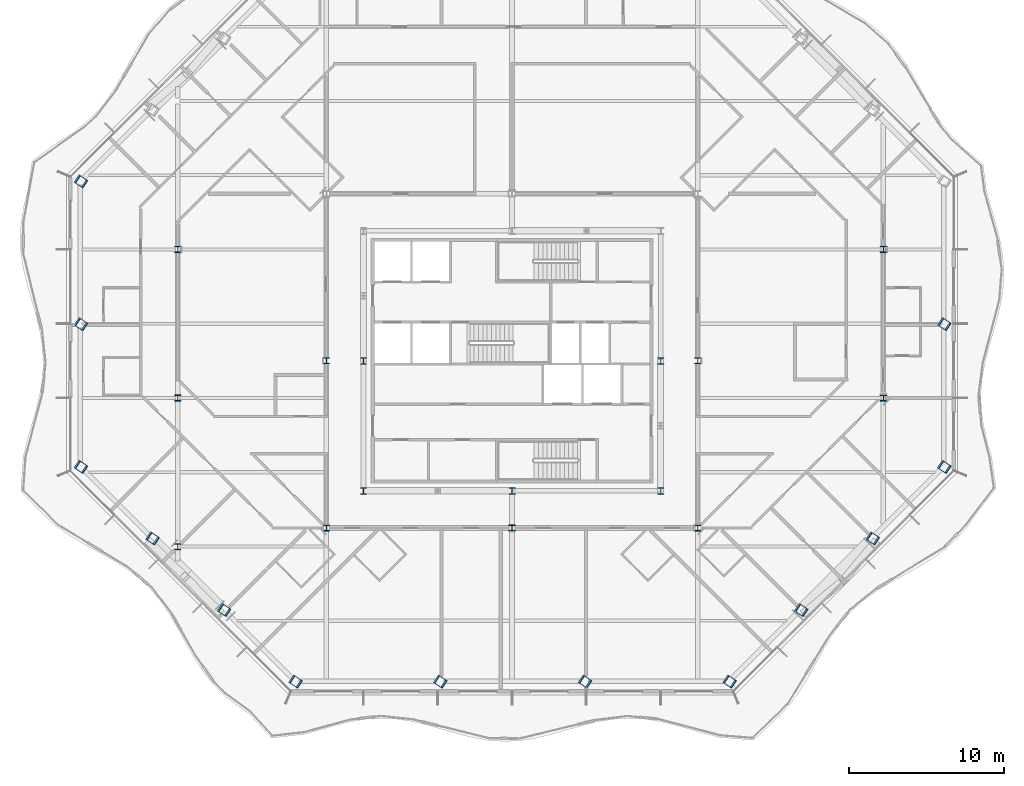
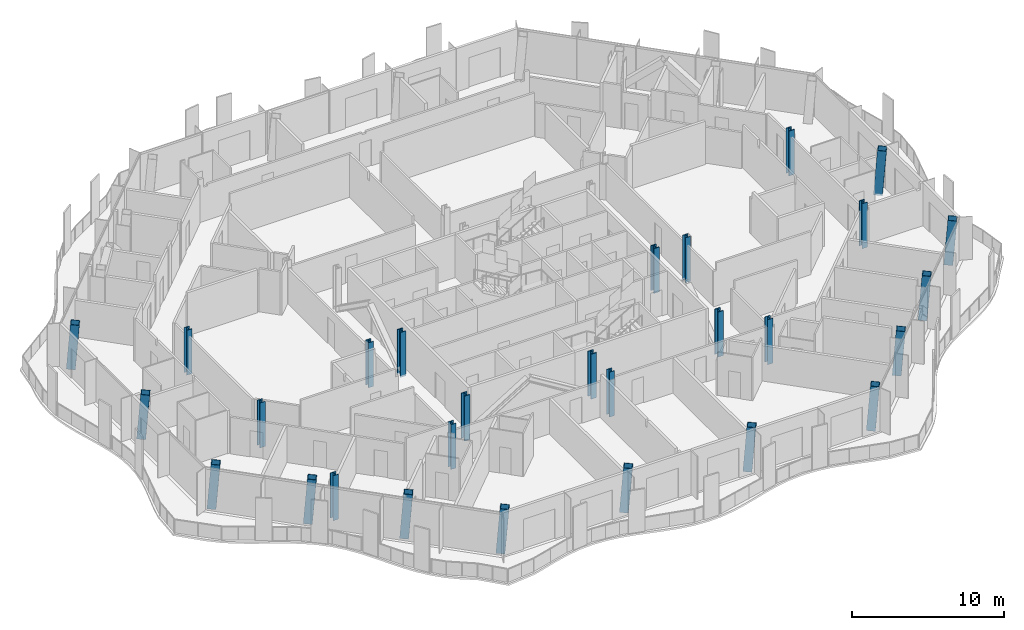
# One storey, part 1 of 21: 28 columns.
"""IFC4 building model written with IfcOpenShell, lengths in metres."""

from ifc_helpers import new_model, si_unit, direction, frame, origin, origin_2d, place, context, subcontext, project, spatial, hollow_rectangle, i_section, extrude, clip, halfspace, material, material_profile, profile_set, type_object, element, save


model = new_model("IFC4")

# Units and contexts
model_context = context("Model", 3, precision=1e-05, world=origin(), true_north=direction((0.0, 1.0)))
body_context = subcontext(model_context, "Body", "Model", "MODEL_VIEW")
ifc_project = project(units=[si_unit("LENGTHUNIT", "METRE"), si_unit("AREAUNIT", "SQUARE_METRE"), si_unit("VOLUMEUNIT", "CUBIC_METRE"), si_unit("PLANEANGLEUNIT", "RADIAN"), si_unit("MASSUNIT", "GRAM", prefix="KILO")], contexts=[model_context])

# Site, building, storey
site_placement = place(None, origin())
site = spatial("IfcSite", under=ifc_project, at=site_placement, CompositionType="ELEMENT")
building_placement = place(site_placement, origin())
building = spatial("IfcBuilding", under=site, at=building_placement, Name="Cairn Pilgrim Tower", CompositionType="ELEMENT")
storey_placement = place(building_placement, frame((0.0, 0.0, 172.199951171875)))
storey = spatial("IfcBuildingStorey", under=building, at=storey_placement, Name="L43", CompositionType="ELEMENT", Elevation=172.199951171875)

# Columns
ifc_material_1 = material(Name="Structural steel S460M", Category="steel")
ifc_material_profile_1 = material_profile(ifc_material_1, hollow_rectangle(XDim=0.60009765625, YDim=0.60009765625, WallThickness=0.034912109375, at=origin_2d()), Name="BOX 600x600x35")
ifc_profile_set_1 = profile_set([ifc_material_profile_1], Name="Structural steel S460M")
column_type_1 = type_object("IfcColumnType", Name="BOX 600x600x35", PredefinedType="COLUMN", material=ifc_profile_set_1)
for number, where, z_axis, x_axis, name in (
    (1, (-6.8271484375, -18.300048828125, -0.14990234375), (0.062286590776, -0.041524393851, 0.99719411617), (0.554700196225, 0.832050294338, 0.0), "PC2-S1"),
    (2, (2.5244140625, -18.300048828125, -0.14990234375), (0.062286590776, -0.041524393851, 0.99719411617), (0.554700196225, 0.832050294338, 0.0), "PC2-S2"),
    (3, (11.875732421875, -18.300048828125, -0.14990234375), (0.062286590776, -0.041524393851, 0.99719411617), (0.554700196225, 0.832050294338, 0.0), "PC2-S3"),
    (4, (21.227294921875, -18.300048828125, -0.14990234375), (0.062286590776, -0.041524393851, 0.99719411617), (0.554700196225, 0.832050294338, 0.0), "PC2-SE1"),
    (5, (25.8515625, -13.67578125, -0.14990234375), (0.062286590776, -0.041524393851, 0.99719411617), (0.554700196225, 0.832050294338, 0.0), "PC2-SE2"),
):
    element("IfcColumn", number, at=place(storey_placement, frame(where, z_axis=z_axis, x_axis=x_axis)), inside=storey, type_object=column_type_1, Name=name, PredefinedType="COLUMN", context=body_context, shape_type="Clipping", body=[
        clip(clip(extrude(hollow_rectangle(XDim=0.60009765625, YDim=0.60009765625, WallThickness=0.034912109375, at=origin_2d()), origin(), (0.0, 0.0, 1.0), 3.60986328125), halfspace(frame((0.0, 0.0, 0.01123046875), z_axis=(0.0, 0.0, 1.0), x_axis=(1.0, 0.0, 0.0)), True)), halfspace(frame((0.0, 0.0, 3.587890625), z_axis=(0.0, 0.0, 1.0), x_axis=(1.0, 0.0, 0.0)), False)),
    ])
column_1_placement = place(storey_placement, frame((30.4755859375, -9.051513671875, -0.14990234375), z_axis=(0.06235395728, -0.04152421884, 0.997189913337), x_axis=(0.554283476609, 0.832327956732, 0.0)))
element("IfcColumn", 6, at=column_1_placement, inside=storey, type_object=column_type_1, Name="PC2-SE3", PredefinedType="COLUMN", context=body_context, shape_type="Clipping", body=[
    clip(clip(extrude(hollow_rectangle(XDim=0.60009765625, YDim=0.60009765625, WallThickness=0.034912109375, at=origin_2d()), origin(), (0.0, 0.0, 1.0), 3.610107421875), halfspace(frame((0.0, 0.0, 0.01123046875), z_axis=(0.0, 0.0, 1.0), x_axis=(1.0, 0.0, 0.0)), True)), halfspace(frame((0.0, 0.0, 3.587890625), z_axis=(0.0, 0.0, 1.0), x_axis=(1.0, 0.0, 0.0)), False)),
])
column_2_placement = place(storey_placement, frame((35.10009765625, -4.42724609375, -0.14990234375), z_axis=(0.062286590776, -0.041524393851, 0.99719411617), x_axis=(0.554700196225, 0.832050294338, 0.0)))
element("IfcColumn", 7, at=column_2_placement, inside=storey, type_object=column_type_1, Name="PC2-E1", PredefinedType="COLUMN", context=body_context, shape_type="Clipping", body=[
    clip(clip(extrude(hollow_rectangle(XDim=0.60009765625, YDim=0.60009765625, WallThickness=0.034912109375, at=origin_2d()), origin(), (0.0, 0.0, 1.0), 3.60986328125), halfspace(frame((0.0, 0.0, 0.01123046875), z_axis=(0.0, 0.0, 1.0), x_axis=(1.0, 0.0, 0.0)), True)), halfspace(frame((0.0, 0.0, 3.587890625), z_axis=(0.0, 0.0, 1.0), x_axis=(1.0, 0.0, 0.0)), False)),
])
column_3_placement = place(storey_placement, frame((35.10009765625, 4.800048828125, -0.14990234375), z_axis=(0.062286415717, -0.041591906261, 0.997191313515), x_axis=(0.555325171193, 0.831633305153, 0.0)))
element("IfcColumn", 8, at=column_3_placement, inside=storey, type_object=column_type_1, Name="PC2-E2", PredefinedType="COLUMN", context=body_context, shape_type="Clipping", body=[
    clip(clip(extrude(hollow_rectangle(XDim=0.60009765625, YDim=0.60009765625, WallThickness=0.034912109375, at=origin_2d()), origin(), (0.0, 0.0, 1.0), 3.610107421875), halfspace(frame((0.0, 0.0, 0.01123046875), z_axis=(0.0, 0.0, 1.0), x_axis=(1.0, 0.0, 0.0)), True)), halfspace(frame((0.0, 0.0, 3.587890625), z_axis=(0.0, 0.0, 1.0), x_axis=(1.0, 0.0, 0.0)), False)),
])
column_4_placement = place(storey_placement, frame((-20.699951171875, 14.027099609375, -0.14990234375), z_axis=(0.062286590776, -0.041524393851, 0.99719411617), x_axis=(0.554700196225, 0.832050294338, 0.0)))
element("IfcColumn", 9, at=column_4_placement, inside=storey, type_object=column_type_1, Name="PC2-W1", PredefinedType="COLUMN", context=body_context, shape_type="Clipping", body=[
    clip(clip(extrude(hollow_rectangle(XDim=0.60009765625, YDim=0.60009765625, WallThickness=0.034912109375, at=origin_2d()), origin(), (0.0, 0.0, 1.0), 3.60986328125), halfspace(frame((0.0, 0.0, 0.01123046875), z_axis=(0.0, 0.0, 1.0), x_axis=(1.0, 0.0, 0.0)), True)), halfspace(frame((0.0, 0.0, 3.587890625), z_axis=(0.0, 0.0, 1.0), x_axis=(1.0, 0.0, 0.0)), False)),
])
column_5_placement = place(storey_placement, frame((-20.699951171875, 4.800048828125, -0.14990234375), z_axis=(0.062286415717, -0.041591906261, 0.997191313515), x_axis=(0.555325171193, 0.831633305153, 0.0)))
element("IfcColumn", 10, at=column_5_placement, inside=storey, type_object=column_type_1, Name="PC2-W2", PredefinedType="COLUMN", context=body_context, shape_type="Clipping", body=[
    clip(clip(extrude(hollow_rectangle(XDim=0.60009765625, YDim=0.60009765625, WallThickness=0.034912109375, at=origin_2d()), origin(), (0.0, 0.0, 1.0), 3.610107421875), halfspace(frame((0.0, 0.0, 0.01123046875), z_axis=(0.0, 0.0, 1.0), x_axis=(1.0, 0.0, 0.0)), True)), halfspace(frame((0.0, 0.0, 3.587890625), z_axis=(0.0, 0.0, 1.0), x_axis=(1.0, 0.0, 0.0)), False)),
])
column_6_placement = place(storey_placement, frame((-20.699951171875, -4.42724609375, -0.14990234375), z_axis=(0.062286590776, -0.041524393851, 0.99719411617), x_axis=(0.554700196225, 0.832050294338, 0.0)))
element("IfcColumn", 11, at=column_6_placement, inside=storey, type_object=column_type_1, Name="PC2-SW1", PredefinedType="COLUMN", context=body_context, shape_type="Clipping", body=[
    clip(clip(extrude(hollow_rectangle(XDim=0.60009765625, YDim=0.60009765625, WallThickness=0.034912109375, at=origin_2d()), origin(), (0.0, 0.0, 1.0), 3.60986328125), halfspace(frame((0.0, 0.0, 0.01123046875), z_axis=(0.0, 0.0, 1.0), x_axis=(1.0, 0.0, 0.0)), True)), halfspace(frame((0.0, 0.0, 3.587890625), z_axis=(0.0, 0.0, 1.0), x_axis=(1.0, 0.0, 0.0)), False)),
])
column_7_placement = place(storey_placement, frame((-16.07568359375, -9.051513671875, -0.14990234375), z_axis=(0.06235395728, -0.04152421884, 0.997189913337), x_axis=(0.554283476609, 0.832327956732, 0.0)))
element("IfcColumn", 12, at=column_7_placement, inside=storey, type_object=column_type_1, Name="PC2-SW2", PredefinedType="COLUMN", context=body_context, shape_type="Clipping", body=[
    clip(clip(extrude(hollow_rectangle(XDim=0.60009765625, YDim=0.60009765625, WallThickness=0.034912109375, at=origin_2d()), origin(), (0.0, 0.0, 1.0), 3.610107421875), halfspace(frame((0.0, 0.0, 0.01123046875), z_axis=(0.0, 0.0, 1.0), x_axis=(1.0, 0.0, 0.0)), True)), halfspace(frame((0.0, 0.0, 3.587890625), z_axis=(0.0, 0.0, 1.0), x_axis=(1.0, 0.0, 0.0)), False)),
])
column_8_placement = place(storey_placement, frame((-11.451416015625, -13.67578125, -0.14990234375), z_axis=(0.062286590776, -0.041524393851, 0.99719411617), x_axis=(0.554700196225, 0.832050294338, 0.0)))
element("IfcColumn", 13, at=column_8_placement, inside=storey, type_object=column_type_1, Name="PC2-SW3", PredefinedType="COLUMN", context=body_context, shape_type="Clipping", body=[
    clip(clip(extrude(hollow_rectangle(XDim=0.60009765625, YDim=0.60009765625, WallThickness=0.034912109375, at=origin_2d()), origin(), (0.0, 0.0, 1.0), 3.60986328125), halfspace(frame((0.0, 0.0, 0.01123046875), z_axis=(0.0, 0.0, 1.0), x_axis=(1.0, 0.0, 0.0)), True)), halfspace(frame((0.0, 0.0, 3.587890625), z_axis=(0.0, 0.0, 1.0), x_axis=(1.0, 0.0, 0.0)), False)),
])
ifc_material_2 = material(Name="Structural steel S355J2", Category="steel")
ifc_material_profile_2 = material_profile(ifc_material_2, i_section(OverallWidth=0.39892578125, OverallDepth=0.39306640625, WebThickness=0.022705078125, FlangeThickness=0.03662109375, FilletRadius=0.014892578125, at=origin_2d()), Name="HD 400x287")
ifc_profile_set_2 = profile_set([ifc_material_profile_2], Name="Structural steel S355J2")
column_type_2 = type_object("IfcColumnType", Name="HD 400x287", PredefinedType="COLUMN", material=ifc_profile_set_2)
for number, where, z_axis, x_axis, name in (
    (14, (-4.800048828125, -8.39990234375, -0.14990234375), (0.0, 0.0, 1.0), (1.0, 0.0, 0.0), "IC-1"),
    (15, (7.199951171875, -8.39990234375, -0.14990234375), (0.0, 0.0, 1.0), (1.0, 0.0, 0.0), "IC-2"),
    (16, (19.199951171875, -8.39990234375, -0.14990234375), (0.0, 0.0, 1.0), (1.0, 0.0, 0.0), "IC-3"),
    (17, (-4.800048828125, 2.39990234375, -0.14990234375), (0.0, 0.0, 1.0), (1.0, 0.0, 0.0), "IC-4"),
    (18, (19.199951171875, 2.39990234375, -0.14990234375), (0.0, 0.0, 1.0), (1.0, 0.0, 0.0), "IC-5"),
    (19, (-14.39990234375, -9.60009765625, -0.14990234375), (0.0, 0.0, 1.0), (1.0, 0.0, 0.0), "WC-WW-2"),
    (20, (-14.39990234375, 0.0, -0.14990234375), (0.0, 0.0, 1.0), (1.0, 0.0, 0.0), "WC-WW+0"),
    (21, (-14.39990234375, 9.60009765625, -0.14990234375), (0.0, 0.0, 1.0), (1.0, 0.0, 0.0), "WC-WW+2"),
):
    element("IfcColumn", number, at=place(storey_placement, frame(where, z_axis=z_axis, x_axis=x_axis)), inside=storey, type_object=column_type_2, Name=name, PredefinedType="COLUMN", context=body_context, shape_type="SweptSolid", body=[
        extrude(i_section(OverallWidth=0.39892578125, OverallDepth=0.39306640625, WebThickness=0.022705078125, FlangeThickness=0.03662109375, FilletRadius=0.014892578125, at=origin_2d()), origin(), (0.0, 0.0, 1.0), 3.599853515625),
    ])
ifc_material_profile_3 = material_profile(ifc_material_1, i_section(OverallWidth=0.408935546875, OverallDepth=0.425048828125, WebThickness=0.03271484375, FlangeThickness=0.052490234375, FilletRadius=0.014892578125, at=origin_2d()), Name="HD 400x421")
ifc_profile_set_3 = profile_set([ifc_material_profile_3], Name="Structural steel S460M")
column_type_3 = type_object("IfcColumnType", Name="HD 400x421", PredefinedType="COLUMN", material=ifc_profile_set_3)
for number, where, z_axis, x_axis, name in (
    (22, (31.199951171875, 0.0, -0.14990234375), (0.0, 0.0, 1.0), (1.0, 0.0, 0.0), "WC-WE+0"),
    (23, (31.199951171875, 9.60009765625, -0.14990234375), (0.0, 0.0, 1.0), (1.0, 0.0, 0.0), "WC-WE+2"),
):
    element("IfcColumn", number, at=place(storey_placement, frame(where, z_axis=z_axis, x_axis=x_axis)), inside=storey, type_object=column_type_3, Name=name, PredefinedType="COLUMN", context=body_context, shape_type="SweptSolid", body=[
        extrude(i_section(OverallWidth=0.408935546875, OverallDepth=0.425048828125, WebThickness=0.03271484375, FlangeThickness=0.052490234375, FilletRadius=0.014892578125, at=origin_2d()), origin(), (0.0, 0.0, 1.0), 3.599853515625),
    ])
ifc_material_profile_4 = material_profile(ifc_material_1, i_section(OverallWidth=0.416015625, OverallDepth=0.446044921875, WebThickness=0.0390625, FlangeThickness=0.062744140625, FilletRadius=0.014892578125, at=origin_2d()), Name="HD 400x509")
ifc_profile_set_4 = profile_set([ifc_material_profile_4], Name="Structural steel S460M")
column_type_4 = type_object("IfcColumnType", Name="HD 400x509", PredefinedType="COLUMN", material=ifc_profile_set_4)
for number, where, z_axis, x_axis, name in (
    (24, (-2.39990234375, -6.0, -0.14990234375), (0.0, 0.0, 1.0), (1.0, 0.0, 0.0), "KC-1"),
    (25, (7.199951171875, -6.0, -0.14990234375), (0.0, 0.0, 1.0), (1.0, 0.0, 0.0), "KC-2"),
    (26, (16.800048828125, -6.0, -0.14990234375), (0.0, 0.0, 1.0), (1.0, 0.0, 0.0), "KC-3"),
    (27, (-2.39990234375, 2.39990234375, -0.14990234375), (0.0, 0.0, 1.0), (1.0, 0.0, 0.0), "KC-4"),
    (28, (16.800048828125, 2.39990234375, -0.14990234375), (0.0, 0.0, 1.0), (1.0, 0.0, 0.0), "KC-5"),
):
    element("IfcColumn", number, at=place(storey_placement, frame(where, z_axis=z_axis, x_axis=x_axis)), inside=storey, type_object=column_type_4, Name=name, PredefinedType="COLUMN", context=body_context, shape_type="SweptSolid", body=[
        extrude(i_section(OverallWidth=0.416015625, OverallDepth=0.446044921875, WebThickness=0.0390625, FlangeThickness=0.062744140625, FilletRadius=0.014892578125, at=origin_2d()), origin(), (0.0, 0.0, 1.0), 3.599853515625),
    ])

save(model, "model.ifc")
